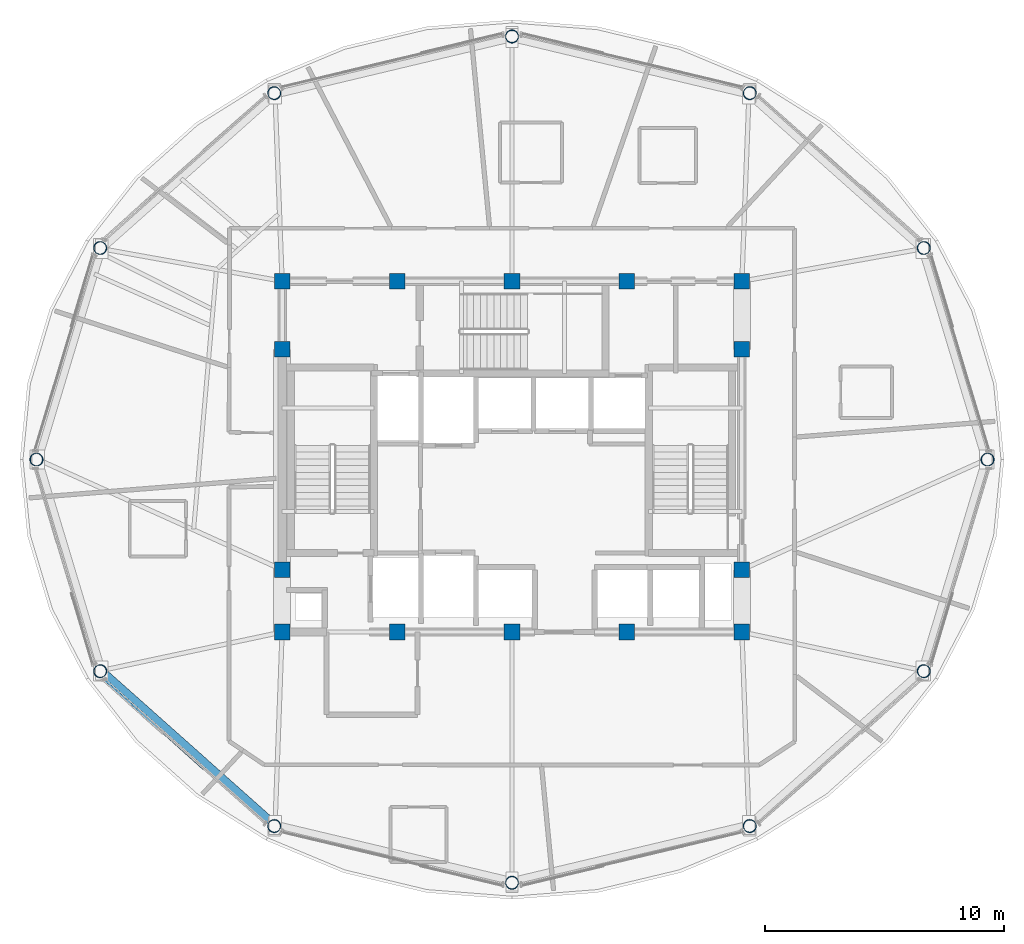
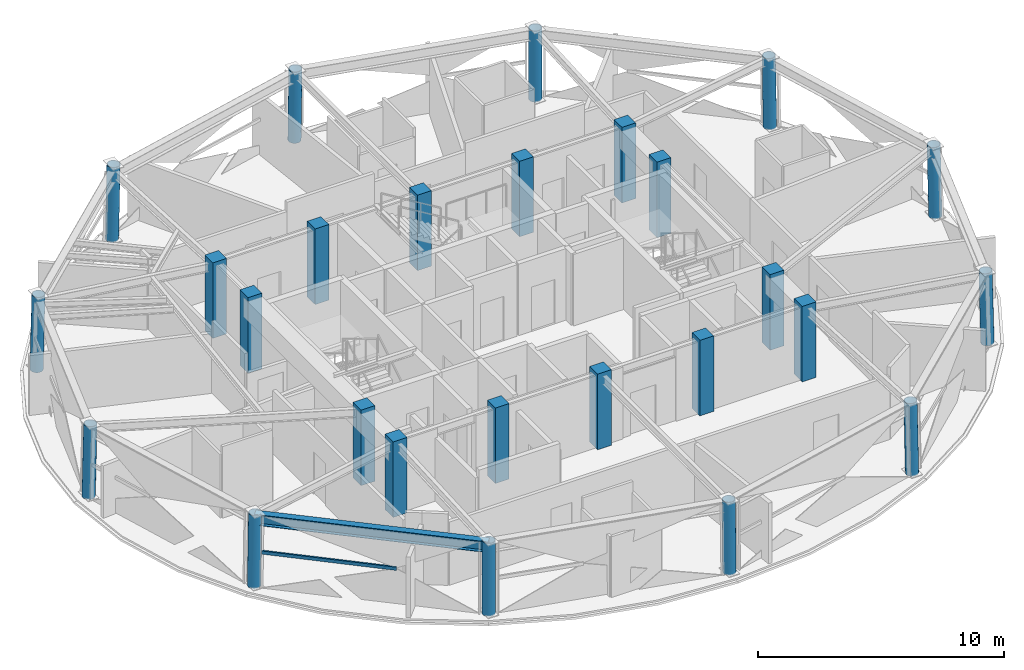
# One storey, part 1 of 15: 26 columns, 1 beam, 1 member, 1 element without a shape of its own.
"""IFC4 building model written with IfcOpenShell, lengths in metres."""

from ifc_helpers import new_model, si_unit, direction, frame, origin, origin_2d, place, context, subcontext, project, spatial, rectangle, hollow_rectangle, hollow_circle, i_section, extrude, material, layer, layer_set, material_profile, profile_set, type_object, element, aggregate, save


model = new_model("IFC4")

# Units and contexts
model_context = context("Model", 3, precision=1e-05, world=origin(), true_north=direction((0.0, 1.0)))
body_context = subcontext(model_context, "Body", "Model", "MODEL_VIEW")
ifc_project = project(units=[si_unit("LENGTHUNIT", "METRE"), si_unit("AREAUNIT", "SQUARE_METRE"), si_unit("VOLUMEUNIT", "CUBIC_METRE"), si_unit("PLANEANGLEUNIT", "RADIAN"), si_unit("MASSUNIT", "GRAM", prefix="KILO")], contexts=[model_context])

# Site, building, storey
site_placement = place(None, origin())
site = spatial("IfcSite", under=ifc_project, at=site_placement, CompositionType="ELEMENT")
building_placement = place(site_placement, origin())
building = spatial("IfcBuilding", under=site, at=building_placement, Name="Vantalir Tower", CompositionType="ELEMENT")
storey_placement = place(building_placement, frame((0.0, 0.0, 263.85009765625)))
storey = spatial("IfcBuildingStorey", under=building, at=storey_placement, Name="L66", CompositionType="ELEMENT", Elevation=263.85009765625)

# Columns
ifc_material_1 = material(Name="Concrete C50/60", Category="concrete")
ifc_material_profile_1 = material_profile(ifc_material_1, rectangle(XDim=0.64990234375, YDim=0.64990234375, at=origin_2d()), Name="Concrete C50/60")
ifc_profile_set_1 = profile_set([ifc_material_profile_1], Name="Concrete C50/60")
column_type_1 = type_object("IfcColumnType", Name="COL-CC-650", PredefinedType="COLUMN", material=ifc_profile_set_1)
for number, where, z_axis, x_axis, name in (
    (1, (21.89990234375, 17.800048828125, 0.0), (0.0, 0.0, 1.0), (1.0, 0.0, 0.0), "L66 Core Column CC01"),
    (2, (26.699951171875, 17.800048828125, 0.0), (0.0, 0.0, 1.0), (1.0, 0.0, 0.0), "L66 Core Column CC02"),
    (3, (31.5, 17.800048828125, 0.0), (0.0, 0.0, 1.0), (1.0, 0.0, 0.0), "L66 Core Column CC03"),
    (4, (36.300048828125, 17.800048828125, 0.0), (0.0, 0.0, 1.0), (1.0, 0.0, 0.0), "L66 Core Column CC04"),
    (5, (41.10009765625, 17.800048828125, 0.0), (0.0, 0.0, 1.0), (1.0, 0.0, 0.0), "L66 Core Column CC05"),
    (6, (21.89990234375, 20.39990234375, 0.0), (0.0, 0.0, 1.0), (1.0, 0.0, 0.0), "L66 Core Column CC06"),
    (7, (21.89990234375, 29.60009765625, 0.0), (0.0, 0.0, 1.0), (1.0, 0.0, 0.0), "L66 Core Column CC07"),
    (8, (41.10009765625, 20.39990234375, 0.0), (0.0, 0.0, 1.0), (1.0, 0.0, 0.0), "L66 Core Column CC08"),
    (9, (41.10009765625, 29.60009765625, 0.0), (0.0, 0.0, 1.0), (1.0, 0.0, 0.0), "L66 Core Column CC09"),
    (10, (21.89990234375, 32.449951171875, 0.0), (0.0, 0.0, 1.0), (1.0, 0.0, 0.0), "L66 Core Column CC10"),
    (11, (26.699951171875, 32.449951171875, 0.0), (0.0, 0.0, 1.0), (1.0, 0.0, 0.0), "L66 Core Column CC11"),
    (12, (31.5, 32.449951171875, 0.0), (0.0, 0.0, 1.0), (1.0, 0.0, 0.0), "L66 Core Column CC12"),
    (13, (36.300048828125, 32.449951171875, 0.0), (0.0, 0.0, 1.0), (1.0, 0.0, 0.0), "L66 Core Column CC13"),
    (14, (41.10009765625, 32.449951171875, 0.0), (0.0, 0.0, 1.0), (1.0, 0.0, 0.0), "L66 Core Column CC14"),
):
    element("IfcColumn", number, at=place(storey_placement, frame(where, z_axis=z_axis, x_axis=x_axis)), inside=storey, type_object=column_type_1, Name=name, PredefinedType="COLUMN", context=body_context, shape_type="SweptSolid", body=[
        extrude(rectangle(XDim=0.64990234375, YDim=0.64990234375, at=origin_2d()), origin(), (0.0, 0.0, 1.0), 3.75),
    ])
ifc_material_2 = material(Name="Steel S460", Category="steel")
ifc_material_profile_2 = material_profile(ifc_material_2, hollow_circle(Radius=0.27490234375, WallThickness=0.02490234375, at=origin_2d()), Name="Steel S460")
ifc_profile_set_2 = profile_set([ifc_material_profile_2], Name="Steel S460")
column_type_2 = type_object("IfcColumnType", Name="COL-RC-550", PredefinedType="COLUMN", material=ifc_profile_set_2)
column_1_placement = place(storey_placement, frame((51.3701171875, 25.0, 0.0), z_axis=(-0.022426310188, 0.0, 0.999748498679), x_axis=(0.0, -1.0, 0.0)))
element("IfcColumn", 15, at=column_1_placement, inside=storey, type_object=column_type_2, Name="L66 Perimeter Ring Column RC01", PredefinedType="COLUMN", context=body_context, shape_type="SweptSolid", body=[
    extrude(hollow_circle(Radius=0.27490234375, WallThickness=0.02490234375, at=origin_2d()), origin(), (0.0, 0.0, 1.0), 3.57080078125),
])
for number, where, z_axis, x_axis, name in (
    (16, (48.7080078125, 33.841064453125, 0.0), (-0.019349782702, -0.010119320989, 0.9997615642), (0.463421877407, -0.886137779096, 0.0), "L66 Perimeter Ring Column RC02"),
    (17, (41.43505859375, 40.31298828125, 0.0), (-0.01121363183, -0.017093950961, 0.999791003811), (0.8361437835, -0.548510321976, 0.0), "L66 Perimeter Ring Column RC03"),
    (18, (31.5, 42.681884765625, 0.0), (0.0, -0.019829228603, 0.999803381517), (1.0, 0.0, 0.0), "L66 Perimeter Ring Column RC04"),
):
    element("IfcColumn", number, at=place(storey_placement, frame(where, z_axis=z_axis, x_axis=x_axis)), inside=storey, type_object=column_type_2, Name=name, PredefinedType="COLUMN", context=body_context, shape_type="SweptSolid", body=[
        extrude(hollow_circle(Radius=0.27490234375, WallThickness=0.02490234375, at=origin_2d()), origin(), (0.0, 0.0, 1.0), 3.570556640625),
    ])
for number, where, z_axis, x_axis, name in (
    (19, (21.56494140625, 40.31298828125, 0.0), (0.010749918117, -0.0163870703, 0.999807933149), (0.8361437835, 0.548510321976, 0.0), "L66 Perimeter Ring Column RC05"),
    (20, (14.2919921875, 33.841064453125, 0.0), (0.018549661596, -0.009700883096, 0.999780877454), (0.463421877407, 0.886137779096, 0.0), "L66 Perimeter Ring Column RC06"),
):
    element("IfcColumn", number, at=place(storey_placement, frame(where, z_axis=z_axis, x_axis=x_axis)), inside=storey, type_object=column_type_2, Name=name, PredefinedType="COLUMN", context=body_context, shape_type="SweptSolid", body=[
        extrude(hollow_circle(Radius=0.27490234375, WallThickness=0.02490234375, at=origin_2d()), origin(), (0.0, 0.0, 1.0), 3.724609375),
    ])
column_2_placement = place(storey_placement, frame((11.6298828125, 25.0, 0.0), z_axis=(0.022426310188, 0.0, 0.999748498679), x_axis=(0.0, 1.0, 0.0)))
element("IfcColumn", 21, at=column_2_placement, inside=storey, type_object=column_type_2, Name="L66 Perimeter Ring Column RC07", PredefinedType="COLUMN", context=body_context, shape_type="SweptSolid", body=[
    extrude(hollow_circle(Radius=0.27490234375, WallThickness=0.02490234375, at=origin_2d()), origin(), (0.0, 0.0, 1.0), 3.57080078125),
])
for number, where, z_axis, x_axis, name in (
    (22, (14.2919921875, 16.158935546875, 0.0), (0.019349835531, 0.009845852708, 0.999764293746), (-0.453501133358, 0.891255699585, 0.0), "L66 Perimeter Ring Column RC08"),
    (23, (21.56494140625, 9.68701171875, 0.0), (0.01121363183, 0.017093950961, 0.999791003811), (-0.8361437835, 0.548510321976, 0.0), "L66 Perimeter Ring Column RC09"),
    (24, (31.5, 7.318115234375, 0.0), (0.0, 0.019829228603, 0.999803381517), (-1.0, 0.0, 0.0), "L66 Perimeter Ring Column RC10"),
    (25, (41.43505859375, 9.68701171875, 0.0), (-0.01121363183, 0.017093950961, 0.999791003811), (-0.8361437835, -0.548510321976, 0.0), "L66 Perimeter Ring Column RC11"),
    (26, (48.7080078125, 16.158935546875, 0.0), (-0.019349835531, 0.009845852708, 0.999764293746), (-0.453501133358, -0.891255699585, 0.0), "L66 Perimeter Ring Column RC12"),
):
    element("IfcColumn", number, at=place(storey_placement, frame(where, z_axis=z_axis, x_axis=x_axis)), inside=storey, type_object=column_type_2, Name=name, PredefinedType="COLUMN", context=body_context, shape_type="SweptSolid", body=[
        extrude(hollow_circle(Radius=0.27490234375, WallThickness=0.02490234375, at=origin_2d()), origin(), (0.0, 0.0, 1.0), 3.570556640625),
    ])

# Beam
ifc_material_profile_3 = material_profile(ifc_material_2, i_section(OverallWidth=0.31201171875, OverallDepth=0.5419921875, WebThickness=0.0126953125, FlangeThickness=0.020263671875, at=origin_2d()), Name="Steel S460")
ifc_profile_set_3 = profile_set([ifc_material_profile_3], Name="Steel S460")
beam_type = type_object("IfcBeamType", Name="BM-RG-533x312", PredefinedType="USERDEFINED", material=ifc_profile_set_3)
beam_placement = place(storey_placement, frame((14.361083984375, 16.194091796875, 3.298828125), z_axis=(0.747049427526, -0.664768495668, 0.0), x_axis=(0.664768495668, 0.747049427526, 0.0)))
element("IfcBeam", 27, at=beam_placement, inside=storey, type_object=beam_type, Name="L66 Circumferential Ring Girder 08", ObjectType="GIRDER", PredefinedType="USERDEFINED", context=body_context, shape_type="SweptSolid", body=[
    extrude(i_section(OverallWidth=0.31201171875, OverallDepth=0.5419921875, WebThickness=0.0126953125, FlangeThickness=0.020263671875, at=origin_2d()), origin(), (0.0, 0.0, 1.0), 9.69677734375),
])

# Curtain wall, member
ifc_material_3 = material(Name="Champagne-silver PVDF aluminium and double-silver Low-E glass", Category="aluminium")
ifc_layer = layer(ifc_material_3, 0.219970703125)
ifc_layer_set = layer_set([ifc_layer], Name="Champagne-silver PVDF aluminium and double-silver Low-E glass")
curtain_wall_type = type_object("IfcCurtainWallType", Name="CW-DIAMOND-Z4", PredefinedType="USERDEFINED", material=ifc_layer_set)
curtain_wall_placement = place(storey_placement, origin())
curtain_wall = element("IfcCurtainWall", 28, at=curtain_wall_placement, inside=storey, type_object=curtain_wall_type, Name="L66 Quilted Pyramid-Diamond Curtain Wall S08", ObjectType="UNITISED CURTAIN WALL", PredefinedType="USERDEFINED")
ifc_material_4 = material(Name="Champagne-silver PVDF aluminium 6063-T6", Category="aluminium")
ifc_material_profile_4 = material_profile(ifc_material_4, hollow_rectangle(XDim=0.074951171875, YDim=0.159912109375, WallThickness=0.00390625, at=origin_2d()), Name="Champagne-silver PVDF aluminium 6063-T6")
ifc_profile_set_4 = profile_set([ifc_material_profile_4], Name="Champagne-silver PVDF aluminium 6063-T6")
member_type = type_object("IfcMemberType", Name="CWT-160x75", PredefinedType="USERDEFINED", material=ifc_profile_set_4)
member_placement = place(storey_placement, frame((14.4541015625, 15.822021484375, 1.784912109375), z_axis=(0.743773074275, -0.668432205974, 0.0), x_axis=(0.668432205974, 0.743773074275, 0.0)))
member = element("IfcMember", 29, at=member_placement, type_object=member_type, Name="CW-L66-S08 Pyramid Fold Ridge Transom", ObjectType="TRANSOM", PredefinedType="USERDEFINED", context=body_context, shape_type="SweptSolid", body=[
    extrude(hollow_rectangle(XDim=0.074951171875, YDim=0.159912109375, WallThickness=0.00390625, at=origin_2d()), origin(), (0.0, 0.0, 1.0), 5.599609375),
])
aggregate(curtain_wall, [member])

save(model, "model.ifc")
